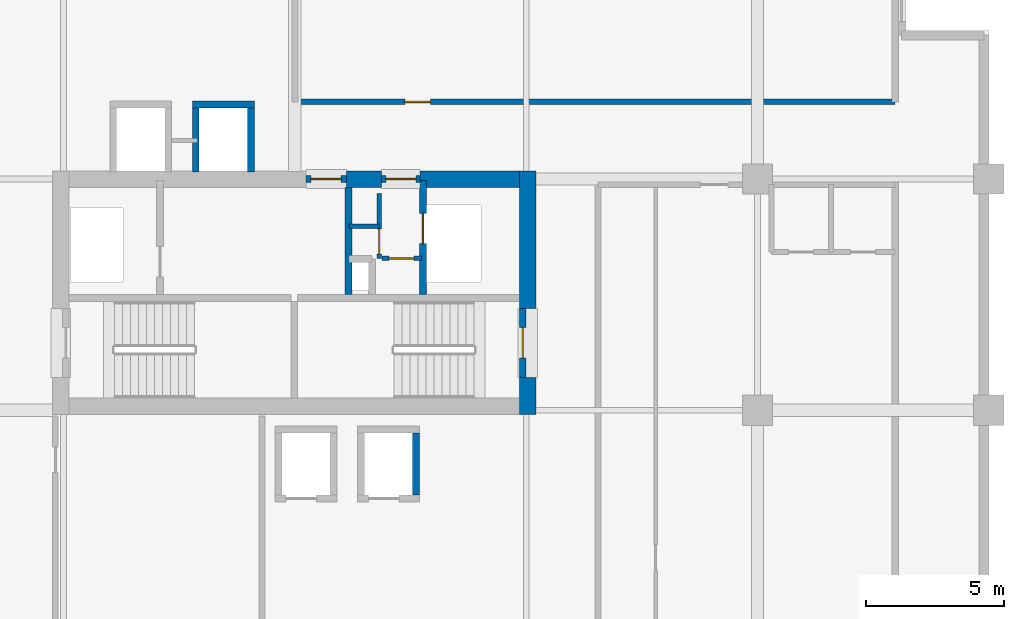
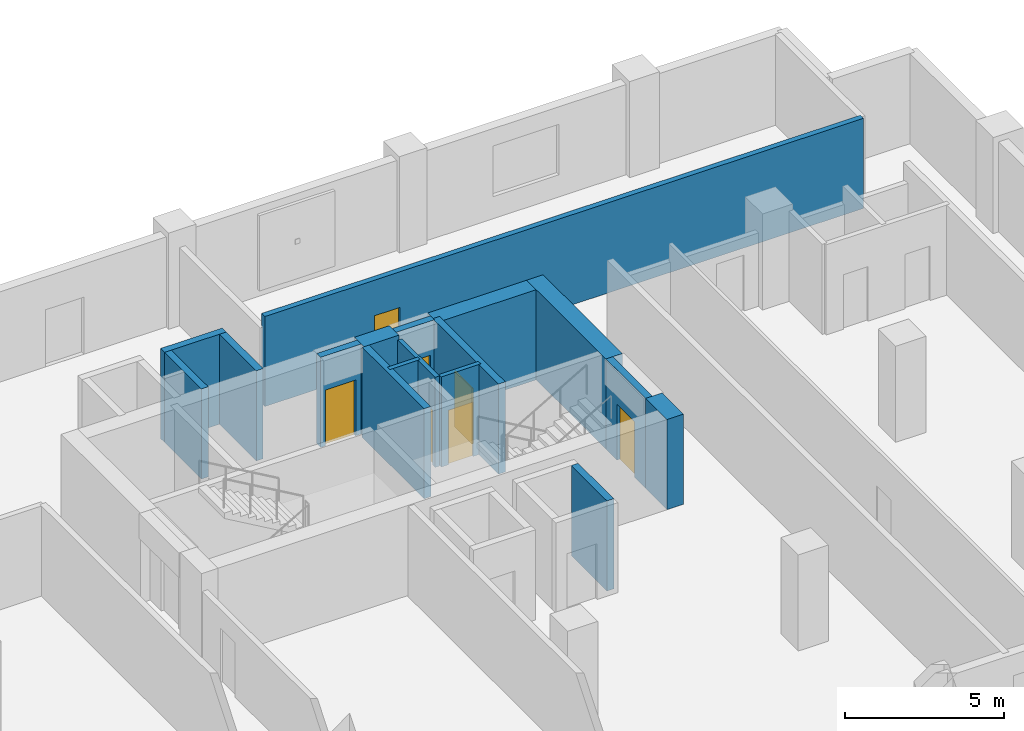
# One storey, part 5 of 15: 17 walls, 7 doors, 7 openings.
"""IFC4 building model written with IfcOpenShell, lengths in metres."""

from ifc_helpers import new_model, si_unit, direction, frame, frame_2d, origin, place, context, subcontext, project, spatial, rectangle, extrude, material, layer, layer_set, type_object, element, fill, save


model = new_model("IFC4")

# Units and contexts
model_context = context("Model", 3, precision=1e-05, world=origin(), true_north=direction((0.0, 1.0)))
body_context = subcontext(model_context, "Body", "Model", "MODEL_VIEW")
ifc_project = project(units=[si_unit("LENGTHUNIT", "METRE"), si_unit("AREAUNIT", "SQUARE_METRE"), si_unit("VOLUMEUNIT", "CUBIC_METRE"), si_unit("PLANEANGLEUNIT", "RADIAN"), si_unit("MASSUNIT", "GRAM", prefix="KILO")], contexts=[model_context])

# Site, building, storey
site_placement = place(None, origin())
site = spatial("IfcSite", under=ifc_project, at=site_placement, CompositionType="ELEMENT")
building_placement = place(site_placement, origin())
building = spatial("IfcBuilding", under=site, at=building_placement, Name="Koriwani Terraces Tower", CompositionType="ELEMENT")
storey_placement = place(building_placement, frame((0.0, 0.0, 216.10009765625)))
storey = spatial("IfcBuildingStorey", under=building, at=storey_placement, Name="L53", CompositionType="ELEMENT", Elevation=216.10009765625)

# Walls
ifc_material_1 = material(Name="Concrete C60/75", Category="concrete")
ifc_layer_1 = layer(ifc_material_1, 0.60009765625, Name="Concrete C60/75")
ifc_layer_set_1 = layer_set([ifc_layer_1], Name="Concrete C60/75")
wall_type_1 = type_object("IfcWallType", Name="WALL_CORE_RC_600", PredefinedType="SHEAR", material=ifc_layer_set_1)
wall_1_placement = place(storey_placement, frame((58.85009765625, 16.64990234375, 0.0), z_axis=(0.0, 0.0, 1.0), x_axis=(0.0, 1.0, 0.0)))
element("IfcWall", 1, at=wall_1_placement, inside=storey, type_object=wall_type_1, Name="L53 East Split Core Shear Wall E1", PredefinedType="SHEAR", context=body_context, shape_type="SweptSolid", body=[
    extrude(rectangle(XDim=1.35009765625, YDim=0.60009765625, at=frame_2d((0.675048828125, 0.0))), origin(), (0.0, 0.0, 1.0), 3.469970703125),
])
wall_2_placement = place(storey_placement, frame((58.85009765625, 20.5, 0.0), z_axis=(0.0, 0.0, 1.0), x_axis=(0.0, 1.0, 0.0)))
element("IfcWall", 2, at=wall_2_placement, inside=storey, type_object=wall_type_1, Name="L53 East Split Core Shear Wall E2", PredefinedType="SHEAR", context=body_context, shape_type="SweptSolid", body=[
    extrude(rectangle(XDim=5.0, YDim=0.60009765625, at=frame_2d((2.5, 0.0))), origin(), (0.0, 0.0, 1.0), 3.469970703125),
])
wall_3_placement = place(storey_placement, frame((52.280029296875, 25.199951171875, 0.0), z_axis=(0.0, 0.0, 1.0), x_axis=(1.0, 0.0, 0.0)))
element("IfcWall", 3, at=wall_3_placement, inside=storey, type_object=wall_type_1, Name="L53 East Split Core Shear Wall N2", PredefinedType="SHEAR", context=body_context, shape_type="SweptSolid", body=[
    extrude(rectangle(XDim=1.27001953125, YDim=0.60009765625, at=frame_2d((0.635009765625, 0.0))), origin(), (0.0, 0.0, 1.0), 3.469970703125),
])
wall_4_placement = place(storey_placement, frame((54.949951171875, 25.199951171875, 0.0), z_axis=(0.0, 0.0, 1.0), x_axis=(1.0, 0.0, 0.0)))
element("IfcWall", 4, at=wall_4_placement, inside=storey, type_object=wall_type_1, Name="L53 East Split Core Shear Wall N3", PredefinedType="SHEAR", context=body_context, shape_type="SweptSolid", body=[
    extrude(rectangle(XDim=3.60009765625, YDim=0.60009765625, at=frame_2d((1.800048828125, 0.0))), origin(), (0.0, 0.0, 1.0), 3.469970703125),
])

# Wall, opening, door
ifc_material_2 = material(Name="Autoclaved Cellular Concrete Blockwork", Category="masonry")
ifc_layer_2 = layer(ifc_material_2, 0.199951171875, Name="Autoclaved Cellular Concrete Blockwork")
ifc_layer_set_2 = layer_set([ifc_layer_2], Name="Autoclaved Cellular Concrete Blockwork")
wall_type_2 = type_object("IfcWallType", Name="WALL_CORRIDOR_200", PredefinedType="PARTITIONING", material=ifc_layer_set_2)
wall_5_placement = place(storey_placement, frame((50.39990234375, 28.0, 0.0), z_axis=(0.0, 0.0, 1.0), x_axis=(1.0, 0.0, 0.0)))
wall_5 = element("IfcWall", 5, at=wall_5_placement, inside=storey, type_object=wall_type_2, Name="L53 Interior Wall WSEC-S-L53", PredefinedType="PARTITIONING", context=body_context, shape_type="SweptSolid", body=[
    extrude(rectangle(XDim=21.800048828125, YDim=0.199951171875, at=frame_2d((10.89990234375, 0.0))), origin(), (0.0, 0.0, 1.0), 3.469970703125),
])
opening_1_placement = place(wall_5_placement, frame((4.0, 0.0, 0.0)))
opening_1 = element("IfcOpeningElement", 6, at=opening_1_placement, cuts=wall_5, Name="Opening D-06", PredefinedType="OPENING", context=body_context, shape_type="SweptSolid", body=[
    extrude(rectangle(XDim=0.919921875, YDim=2.10009765625, at=frame_2d((0.4599609375, 1.050048828125))), frame((0.0, 0.10986328125, 0.0), z_axis=(0.0, -1.0, 0.0), x_axis=(1.0, 0.0, 0.0)), (0.0, 0.0, 1.0), 0.219970703125),
])
ifc_material_3 = material(Name="Architectural Oak Fire Door", Category="wood")
door_type_1 = type_object("IfcDoorType", Name="DOOR_ROOM_INT_920X2100", OperationType="NOTDEFINED", PredefinedType="DOOR", material=ifc_material_3)
door_1_placement = place(opening_1_placement, origin())
door_1 = element("IfcDoor", 7, at=door_1_placement, inside=storey, type_object=door_type_1, Name="L53 East Court Study Door", OperationType="SINGLE_SWING_LEFT", OverallHeight=2.10009765625, OverallWidth=0.919921875, PredefinedType="DOOR", context=body_context, shape_type="SweptSolid", body=[
    extrude(rectangle(XDim=0.919921875, YDim=2.10009765625, at=frame_2d((0.4599609375, 1.050048828125))), frame((0.0, 0.02490234375, 0.0), z_axis=(0.0, -1.0, 0.0), x_axis=(1.0, 0.0, 0.0)), (0.0, 0.0, 1.0), 0.050048828125),
])
fill(opening_1, door_1)

ifc_material_4 = material(Name="Concrete C40/50", Category="concrete")
ifc_layer_3 = layer(ifc_material_4, 0.25, Name="Concrete C40/50")
ifc_layer_set_3 = layer_set([ifc_layer_3], Name="Concrete C40/50")
wall_type_3 = type_object("IfcWallType", Name="WALL_SHAFT_RATED_250", PredefinedType="SOLIDWALL", material=ifc_layer_set_3)
wall_6_placement = place(storey_placement, frame((58.675048828125, 18.0, 0.0), z_axis=(0.0, 0.0, 1.0), x_axis=(0.0, 1.0, 0.0)))
wall_6 = element("IfcWall", 8, at=wall_6_placement, inside=storey, type_object=wall_type_3, Name="L53 Interior Wall WIN-CE-L53-STE", PredefinedType="SOLIDWALL", context=body_context, shape_type="SweptSolid", body=[
    extrude(rectangle(XDim=2.5, YDim=0.25, at=frame_2d((1.25, 0.0))), origin(), (0.0, 0.0, 1.0), 3.469970703125),
])
opening_2_placement = place(wall_6_placement, frame((0.699951171875, 0.0, 0.0)))
opening_2 = element("IfcOpeningElement", 9, at=opening_2_placement, cuts=wall_6, Name="Opening D-03", PredefinedType="OPENING", context=body_context, shape_type="SweptSolid", body=[
    extrude(rectangle(XDim=1.10009765625, YDim=2.14990234375, at=frame_2d((0.550048828125, 1.074951171875))), frame((0.0, 0.135009765625, 0.0), z_axis=(0.0, -1.0, 0.0), x_axis=(1.0, 0.0, 0.0)), (0.0, 0.0, 1.0), 0.27001953125),
])
ifc_material_5 = material(Name="Steel ASTM A572 Grade 50", Category="steel")
door_type_2 = type_object("IfcDoorType", Name="DOOR_STAIR_FIRE_1100X2150", OperationType="NOTDEFINED", PredefinedType="DOOR", material=ifc_material_5)
door_2_placement = place(opening_2_placement, origin())
door_2 = element("IfcDoor", 10, at=door_2_placement, inside=storey, type_object=door_type_2, Name="L53 Exit Stair ST-E2 Door", OperationType="SINGLE_SWING_LEFT", OverallHeight=2.14990234375, OverallWidth=1.10009765625, PredefinedType="DOOR", context=body_context, shape_type="SweptSolid", body=[
    extrude(rectangle(XDim=1.10009765625, YDim=2.14990234375, at=frame_2d((0.550048828125, 1.074951171875))), frame((0.0, 0.02490234375, 0.0), z_axis=(0.0, -1.0, 0.0), x_axis=(1.0, 0.0, 0.0)), (0.0, 0.0, 1.0), 0.050048828125),
])
fill(opening_2, door_2)

wall_7_placement = place(storey_placement, frame((50.800048828125, 25.199951171875, 0.0), z_axis=(0.0, 0.0, 1.0), x_axis=(1.0, 0.0, 0.0)))
wall_7 = element("IfcWall", 11, at=wall_7_placement, inside=storey, type_object=wall_type_3, Name="L53 Interior Wall WIN-CE-L53-NP", PredefinedType="SOLIDWALL", context=body_context, shape_type="SweptSolid", body=[
    extrude(rectangle(XDim=1.47998046875, YDim=0.25, at=frame_2d((0.739990234375, 0.0))), origin(), (0.0, 0.0, 1.0), 3.469970703125),
])
opening_3_placement = place(wall_7_placement, frame((0.179931640625, 0.0, 0.0)))
opening_3 = element("IfcOpeningElement", 12, at=opening_3_placement, cuts=wall_7, Name="Opening D-03", PredefinedType="OPENING", context=body_context, shape_type="SweptSolid", body=[
    extrude(rectangle(XDim=1.10009765625, YDim=2.14990234375, at=frame_2d((0.550048828125, 1.074951171875))), frame((0.0, 0.135009765625, 0.0), z_axis=(0.0, -1.0, 0.0), x_axis=(1.0, 0.0, 0.0)), (0.0, 0.0, 1.0), 0.27001953125),
])
door_3_placement = place(opening_3_placement, origin())
door_3 = element("IfcDoor", 13, at=door_3_placement, inside=storey, type_object=door_type_2, Name="L53 East Firefighting Lobby Door", OperationType="SINGLE_SWING_RIGHT", OverallHeight=2.14990234375, OverallWidth=1.10009765625, PredefinedType="DOOR", context=body_context, shape_type="SweptSolid", body=[
    extrude(rectangle(XDim=1.10009765625, YDim=2.14990234375, at=frame_2d((0.550048828125, 1.074951171875))), frame((0.0, 0.02490234375, 0.0), z_axis=(0.0, -1.0, 0.0), x_axis=(1.0, 0.0, 0.0)), (0.0, 0.0, 1.0), 0.050048828125),
])
fill(opening_3, door_3)

# Wall
wall_8_placement = place(storey_placement, frame((52.340087890625, 21.0, 0.0), z_axis=(0.0, 0.0, 1.0), x_axis=(0.0, 1.0, 0.0)))
element("IfcWall", 14, at=wall_8_placement, inside=storey, type_object=wall_type_3, Name="L53 Interior Wall WIN-CE-L53-FFE", PredefinedType="SOLIDWALL", context=body_context, shape_type="SweptSolid", body=[
    extrude(rectangle(XDim=3.89990234375, YDim=0.25, at=frame_2d((1.949951171875, 0.0))), origin(), (0.0, 0.0, 1.0), 3.469970703125),
])

# Wall, opening, door
wall_9_placement = place(storey_placement, frame((55.050048828125, 21.0, 0.0), z_axis=(0.0, 0.0, 1.0), x_axis=(0.0, 1.0, 0.0)))
wall_9 = element("IfcWall", 15, at=wall_9_placement, inside=storey, type_object=wall_type_3, Name="L53 Interior Wall WIN-CE-L53-SE", PredefinedType="SOLIDWALL", context=body_context, shape_type="SweptSolid", body=[
    extrude(rectangle(XDim=4.14990234375, YDim=0.25, at=frame_2d((2.074951171875, 0.0))), origin(), (0.0, 0.0, 1.0), 3.469970703125),
])
opening_4_placement = place(wall_9_placement, frame((1.85009765625, 0.0, 0.0)))
opening_4 = element("IfcOpeningElement", 16, at=opening_4_placement, cuts=wall_9, Name="Opening LD-01", PredefinedType="OPENING", context=body_context, shape_type="SweptSolid", body=[
    extrude(rectangle(XDim=1.10009765625, YDim=2.14990234375, at=frame_2d((0.550048828125, 1.074951171875))), frame((0.0, 0.135009765625, 0.0), z_axis=(0.0, -1.0, 0.0), x_axis=(1.0, 0.0, 0.0)), (0.0, 0.0, 1.0), 0.27001953125),
])
door_type_3 = type_object("IfcDoorType", Name="DOOR_LIFT_LANDING_1100X2200", OperationType="NOTDEFINED", PredefinedType="DOOR", material=ifc_material_5)
door_4_placement = place(opening_4_placement, origin())
door_4 = element("IfcDoor", 17, at=door_4_placement, inside=storey, type_object=door_type_3, Name="L53 Goods Lift SE-02 Landing Door", OperationType="SLIDING_TO_LEFT", OverallHeight=2.14990234375, OverallWidth=1.10009765625, PredefinedType="DOOR", context=body_context, shape_type="SweptSolid", body=[
    extrude(rectangle(XDim=1.10009765625, YDim=2.14990234375, at=frame_2d((0.550048828125, 1.074951171875))), frame((0.0, 0.02490234375, 0.0), z_axis=(0.0, -1.0, 0.0), x_axis=(1.0, 0.0, 0.0)), (0.0, 0.0, 1.0), 0.050048828125),
])
fill(opening_4, door_4)

wall_10_placement = place(storey_placement, frame((53.550048828125, 25.199951171875, 0.0), z_axis=(0.0, 0.0, 1.0), x_axis=(1.0, 0.0, 0.0)))
wall_10 = element("IfcWall", 18, at=wall_10_placement, inside=storey, type_object=wall_type_3, Name="L53 Interior Wall WIN-CE-L53-NP2", PredefinedType="SOLIDWALL", context=body_context, shape_type="SweptSolid", body=[
    extrude(rectangle(XDim=1.39990234375, YDim=0.25, at=frame_2d((0.699951171875, 0.0))), origin(), (0.0, 0.0, 1.0), 3.469970703125),
])
opening_5_placement = place(wall_10_placement, frame((0.14990234375, 0.0, 0.0)))
opening_5 = element("IfcOpeningElement", 19, at=opening_5_placement, cuts=wall_10, Name="Opening D-03", PredefinedType="OPENING", context=body_context, shape_type="SweptSolid", body=[
    extrude(rectangle(XDim=1.10009765625, YDim=2.14990234375, at=frame_2d((0.550048828125, 1.074951171875))), frame((0.0, 0.135009765625, 0.0), z_axis=(0.0, -1.0, 0.0), x_axis=(1.0, 0.0, 0.0)), (0.0, 0.0, 1.0), 0.27001953125),
])
door_5_placement = place(opening_5_placement, origin())
door_5 = element("IfcDoor", 20, at=door_5_placement, inside=storey, type_object=door_type_2, Name="L53 East Goods Lift Lobby Door", OperationType="SINGLE_SWING_LEFT", OverallHeight=2.14990234375, OverallWidth=1.10009765625, PredefinedType="DOOR", context=body_context, shape_type="SweptSolid", body=[
    extrude(rectangle(XDim=1.10009765625, YDim=2.14990234375, at=frame_2d((0.550048828125, 1.074951171875))), frame((0.0, 0.02490234375, 0.0), z_axis=(0.0, -1.0, 0.0), x_axis=(1.0, 0.0, 0.0)), (0.0, 0.0, 1.0), 0.050048828125),
])
fill(opening_5, door_5)

# Walls
for number, where, z_axis, x_axis, name in (
    (21, (54.800048828125, 13.72509765625, 0.0), (0.0, 0.0, 1.0), (0.0, 1.0, 0.0), "L53 Interior Wall WIN-LF-PE-M4-L53-E"),
    (22, (46.675048828125, 27.89990234375, 0.0), (0.0, 0.0, 1.0), (1.0, 0.0, 0.0), "L53 Interior Wall WIN-LF-PE-H4-L53-F"),
):
    element("IfcWall", number, at=place(storey_placement, frame(where, z_axis=z_axis, x_axis=x_axis)), inside=storey, type_object=wall_type_3, Name=name, PredefinedType="SOLIDWALL", context=body_context, shape_type="SweptSolid", body=[
        extrude(rectangle(XDim=2.25, YDim=0.25, at=frame_2d((1.125, 0.0))), origin(), (0.0, 0.0, 1.0), 3.469970703125),
    ])
for number, where, z_axis, x_axis, name in (
    (23, (46.800048828125, 25.449951171875, 0.0), (0.0, 0.0, 1.0), (0.0, 1.0, 0.0), "L53 Interior Wall WIN-LF-PE-H4-L53-W"),
    (24, (48.800048828125, 25.449951171875, 0.0), (0.0, 0.0, 1.0), (0.0, 1.0, 0.0), "L53 Interior Wall WIN-LF-PE-H4-L53-E"),
):
    element("IfcWall", number, at=place(storey_placement, frame(where, z_axis=z_axis, x_axis=x_axis)), inside=storey, type_object=wall_type_3, Name=name, PredefinedType="SOLIDWALL", context=body_context, shape_type="SweptSolid", body=[
        extrude(rectangle(XDim=2.324951171875, YDim=0.25, at=frame_2d((1.16259765625, 0.0))), origin(), (0.0, 0.0, 1.0), 3.469970703125),
    ])

# Wall, opening, door
ifc_material_6 = material(Name="Fire-Rated Acoustic Gypsum Partition", Category="masonry")
ifc_layer_4 = layer(ifc_material_6, 0.159912109375, Name="Fire-Rated Acoustic Gypsum Partition")
ifc_layer_set_4 = layer_set([ifc_layer_4], Name="Fire-Rated Acoustic Gypsum Partition")
wall_type_4 = type_object("IfcWallType", Name="WALL_SUITE_160", PredefinedType="PARTITIONING", material=ifc_layer_set_4)
wall_11_placement = place(storey_placement, frame((53.56005859375, 22.320068359375, 0.0), z_axis=(0.0, 0.0, 1.0), x_axis=(1.0, 0.0, 0.0)))
wall_11 = element("IfcWall", 25, at=wall_11_placement, inside=storey, type_object=wall_type_4, Name="L53 Interior Wall WIN-CE-L53-SV2A", PredefinedType="PARTITIONING", context=body_context, shape_type="SweptSolid", body=[
    extrude(rectangle(XDim=1.43994140625, YDim=0.159912109375, at=frame_2d((0.719970703125, 0.0))), origin(), (0.0, 0.0, 1.0), 3.469970703125),
])
opening_6_placement = place(wall_11_placement, frame((0.260009765625, 0.0, 0.0)))
opening_6 = element("IfcOpeningElement", 26, at=opening_6_placement, cuts=wall_11, Name="Opening D-07", PredefinedType="OPENING", context=body_context, shape_type="SweptSolid", body=[
    extrude(rectangle(XDim=0.89990234375, YDim=2.10009765625, at=frame_2d((0.449951171875, 1.050048828125))), frame((0.0, 0.08984375, 0.0), z_axis=(0.0, -1.0, 0.0), x_axis=(1.0, 0.0, 0.0)), (0.0, 0.0, 1.0), 0.179931640625),
])
door_type_4 = type_object("IfcDoorType", Name="DOOR_BATH_INT_900X2100", OperationType="NOTDEFINED", PredefinedType="DOOR", material=ifc_material_3)
door_6_placement = place(opening_6_placement, origin())
door_6 = element("IfcDoor", 27, at=door_6_placement, inside=storey, type_object=door_type_4, Name="L53 East Meter Room Door", OperationType="SINGLE_SWING_RIGHT", OverallHeight=2.10009765625, OverallWidth=0.89990234375, PredefinedType="DOOR", context=body_context, shape_type="SweptSolid", body=[
    extrude(rectangle(XDim=0.89990234375, YDim=2.10009765625, at=frame_2d((0.449951171875, 1.050048828125))), frame((0.0, 0.02490234375, 0.0), z_axis=(0.0, -1.0, 0.0), x_axis=(1.0, 0.0, 0.0)), (0.0, 0.0, 1.0), 0.050048828125),
])
fill(opening_6, door_6)

wall_12_placement = place(storey_placement, frame((53.4599609375, 22.320068359375, 0.0), z_axis=(0.0, 0.0, 1.0), x_axis=(0.0, 1.0, 0.0)))
wall_12 = element("IfcWall", 28, at=wall_12_placement, inside=storey, type_object=wall_type_4, Name="L53 Interior Wall WIN-CE-L53-SV2H", PredefinedType="PARTITIONING", context=body_context, shape_type="SweptSolid", body=[
    extrude(rectangle(XDim=2.35986328125, YDim=0.159912109375, at=frame_2d((1.179931640625, 0.0))), origin(), (0.0, 0.0, 1.0), 3.469970703125),
])
opening_7_placement = place(wall_12_placement, frame((0.159912109375, 0.0, 0.0)))
opening_7 = element("IfcOpeningElement", 29, at=opening_7_placement, cuts=wall_12, Name="Opening D-07", PredefinedType="OPENING", context=body_context, shape_type="SweptSolid", body=[
    extrude(rectangle(XDim=0.89990234375, YDim=2.10009765625, at=frame_2d((0.449951171875, 1.050048828125))), frame((0.0, 0.08984375, 0.0), z_axis=(0.0, -1.0, 0.0), x_axis=(1.0, 0.0, 0.0)), (0.0, 0.0, 1.0), 0.179931640625),
])
door_7_placement = place(opening_7_placement, origin())
door_7 = element("IfcDoor", 30, at=door_7_placement, inside=storey, type_object=door_type_4, Name="L53 East Valve Room Door", OperationType="SINGLE_SWING_LEFT", OverallHeight=2.10009765625, OverallWidth=0.89990234375, PredefinedType="DOOR", context=body_context, shape_type="SweptSolid", body=[
    extrude(rectangle(XDim=0.89990234375, YDim=2.10009765625, at=frame_2d((0.449951171875, 1.050048828125))), frame((0.0, 0.02490234375, 0.0), z_axis=(0.0, -1.0, 0.0), x_axis=(1.0, 0.0, 0.0)), (0.0, 0.0, 1.0), 0.050048828125),
])
fill(opening_7, door_7)

# Wall
wall_13_placement = place(storey_placement, frame((52.360107421875, 23.47998046875, 0.0), z_axis=(0.0, 0.0, 1.0), x_axis=(1.0, 0.0, 0.0)))
element("IfcWall", 31, at=wall_13_placement, inside=storey, type_object=wall_type_4, Name="L53 Interior Wall WIN-CE-L53-SV2V", PredefinedType="PARTITIONING", context=body_context, shape_type="SweptSolid", body=[
    extrude(rectangle(XDim=1.099853515625, YDim=0.159912109375, at=frame_2d((0.5498046875, 0.0))), origin(), (0.0, 0.0, 1.0), 3.469970703125),
])

save(model, "model.ifc")
